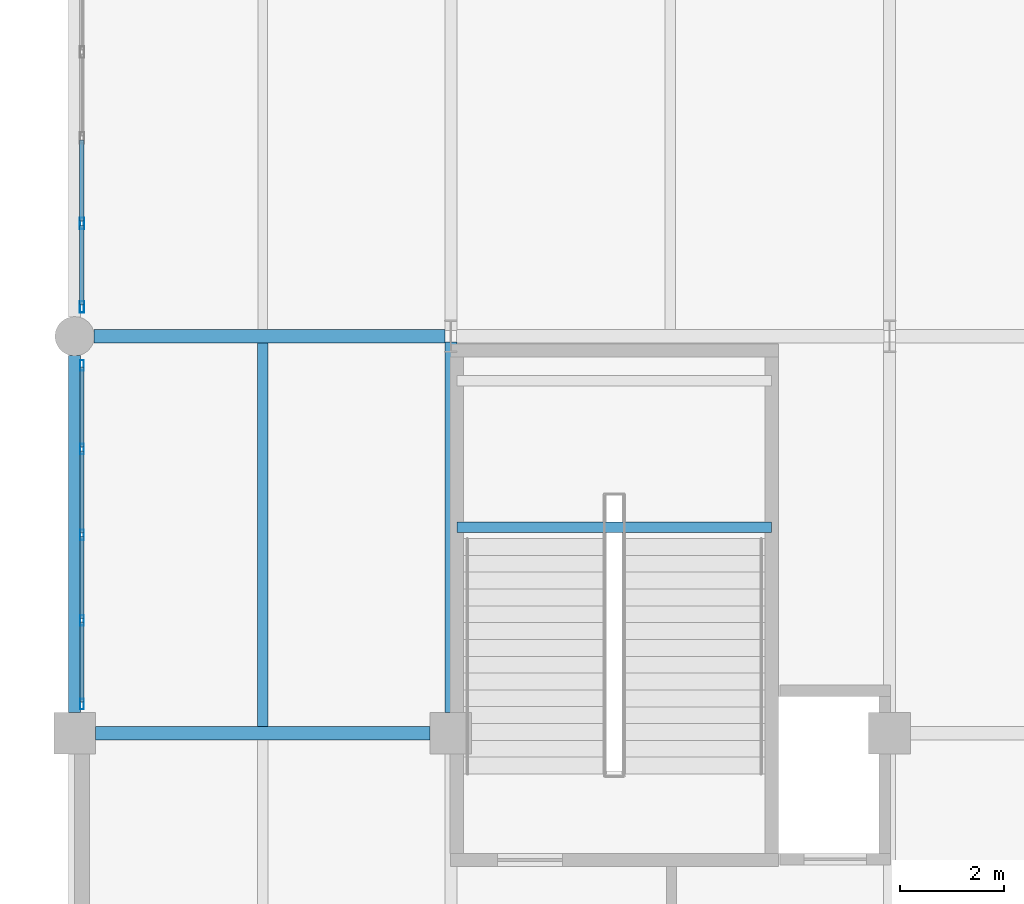
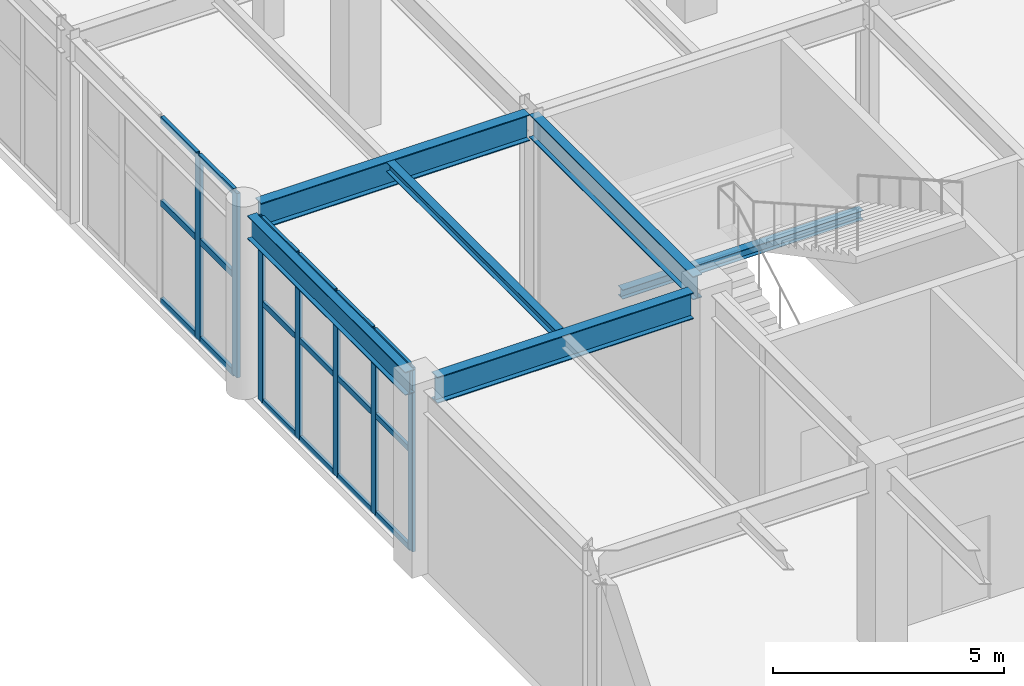
# One storey, part 49 of 128: 25 members, 6 beams, 2 elements without a shape of their own.
"""IFC4 building model written with IfcOpenShell, lengths in metres."""

import ifcopenshell
import ifcopenshell.guid

model = None  # the IFC model being written
_history = None  # IfcOwnerHistory: only IFC2X3 demands one
_inside = {}  # id of a spatial element -> (the spatial element, [elements in it])
_under = {}  # id of a project, library or spatial element -> (it, [spatial elements below it])
_declared = {}  # id of a project -> (the project, [libraries it declares])
_typed = {}  # id of a type object -> (the type object, [elements of that type])
_made_of = {}  # id of a material, layer set ... -> (it, [elements and type objects made of it])


def new_model(schema):
    """Start an empty IFC model of exactly this schema.

    Asked for "IFC4X3", IfcOpenShell would pick the latest addendum, in which some entities
    have other attributes; the version numbers below select the first issue.
    IFC2X3 requires an IfcOwnerHistory on every rooted entity: one is made here for all.
    """
    global model, _history
    if schema == "IFC4X3":
        model = ifcopenshell.file(schema_version=(4, 3, 0, 0))
    else:
        model = ifcopenshell.file(schema=schema)
    _inside.clear()
    _under.clear()
    _declared.clear()
    _typed.clear()
    _made_of.clear()
    _history = None
    if model.schema == "IFC2X3":
        org = make("IfcOrganization", Name="unknown")
        user = make(
            "IfcPersonAndOrganization",
            ThePerson=make("IfcPerson", FamilyName="unknown"),
            TheOrganization=org,
        )
        app = make(
            "IfcApplication",
            ApplicationDeveloper=org,
            Version="unknown",
            ApplicationFullName="unknown",
            ApplicationIdentifier="unknown",
        )
        _history = make(
            "IfcOwnerHistory",
            OwningUser=user,
            OwningApplication=app,
            ChangeAction="ADDED",
            CreationDate=0,
        )
    return model


def make(cls, **values):
    """One entity of the class cls with the attributes given. An attribute that is None is left unset."""
    return model.create_entity(
        cls, **{name: value for name, value in values.items() if value is not None}
    )


def rooted(cls, **values):
    """An entity with a GlobalId (a new one), such as an element, a storey or a relation."""
    return make(cls, GlobalId=ifcopenshell.guid.new(), OwnerHistory=_history, **values)


def si_unit(unit_type, name, prefix=None):
    """IfcSIUnit, for example si_unit("LENGTHUNIT", "METRE", prefix="MILLI")."""
    return make("IfcSIUnit", UnitType=unit_type, Prefix=prefix, Name=name)


def assignment(units):
    """IfcUnitAssignment: the units of a project."""
    return None if units is None else make("IfcUnitAssignment", Units=units)


def point(xyz):
    """IfcCartesianPoint."""
    return None if xyz is None else make("IfcCartesianPoint", Coordinates=xyz)


def direction(xyz):
    """IfcDirection."""
    return None if xyz is None else make("IfcDirection", DirectionRatios=xyz)


def frame(location, z_axis=None, x_axis=None):
    """IfcAxis2Placement3D, a coordinate frame: its origin and axes. An axis left out is left unset."""
    return make(
        "IfcAxis2Placement3D",
        Location=point(location),
        Axis=direction(z_axis),
        RefDirection=direction(x_axis),
    )


def frame_2d(location, x_axis=None):
    """IfcAxis2Placement2D, a coordinate frame in the plane: its origin and x axis."""
    return make(
        "IfcAxis2Placement2D", Location=point(location), RefDirection=direction(x_axis)
    )


def origin():
    """The frame at (0, 0, 0) with its axes left unset."""
    return frame((0.0, 0.0, 0.0))


def origin_2d():
    """The frame at (0, 0) in the plane with its x axis left unset."""
    return frame_2d((0.0, 0.0))


def place(relative_to, where):
    """IfcLocalPlacement: puts the frame where relative to a parent placement (None: the world)."""
    return make(
        "IfcLocalPlacement", PlacementRelTo=relative_to, RelativePlacement=where
    )


def context(
    kind, dimensions, precision=None, world=None, true_north=None, identifier=None
):
    """IfcGeometricRepresentationContext, for example the 3D "Model" context."""
    return make(
        "IfcGeometricRepresentationContext",
        ContextIdentifier=identifier,
        ContextType=kind,
        CoordinateSpaceDimension=dimensions,
        Precision=precision,
        WorldCoordinateSystem=world,
        TrueNorth=true_north,
    )


def subcontext(parent, identifier, kind, view, scale=None):
    """IfcGeometricRepresentationSubContext, for example "Body" below "Model"."""
    return make(
        "IfcGeometricRepresentationSubContext",
        ContextIdentifier=identifier,
        ContextType=kind,
        ParentContext=parent,
        TargetScale=scale,
        TargetView=view,
    )


def project(units=None, contexts=None):
    """IfcProject with its units and contexts."""
    return rooted(
        "IfcProject",
        Name="project",
        RepresentationContexts=contexts,
        UnitsInContext=assignment(units),
    )


def spatial(cls, under=None, at=None, **own):
    """A site, building, storey or space (cls), placed at a placement, below another one or the project."""
    s = rooted(cls, ObjectPlacement=at, **own)
    if under is not None:
        _under.setdefault(under.id(), (under, []))[1].append(s)
    return s


def profile(cls, at=None, kind="AREA", **sizes):
    """A parametric profile (cls). Its sizes go by their IFC names, for example OverallWidth=200.0."""
    return make(cls, ProfileType=kind, Position=at, **sizes)


def hollow_rectangle(**sizes):
    """IfcRectangleHollowProfileDef."""
    return profile("IfcRectangleHollowProfileDef", **sizes)


def i_section(**sizes):
    """IfcIShapeProfileDef."""
    return profile("IfcIShapeProfileDef", **sizes)


def extrude(swept, where, along, depth):
    """IfcExtrudedAreaSolid: the profile swept, set in the frame where, extruded along a direction by depth."""
    return make(
        "IfcExtrudedAreaSolid",
        SweptArea=swept,
        Position=where,
        ExtrudedDirection=direction(along),
        Depth=depth,
    )


def shape(context_of_items, identifier, shape_type, items):
    """IfcShapeRepresentation: the items that make up one representation, for example the "Body"."""
    return make(
        "IfcShapeRepresentation",
        ContextOfItems=context_of_items,
        RepresentationIdentifier=identifier,
        RepresentationType=shape_type,
        Items=items,
    )


def material(Name=None, Category=None):
    """IfcMaterial."""
    return make("IfcMaterial", Name=Name, Category=Category)


def layer(
    of_material, thickness, ventilated=None, Name=None, Category=None, Priority=None
):
    """IfcMaterialLayer: one layer of a wall or slab, of a material (None: an air gap)."""
    return make(
        "IfcMaterialLayer",
        Material=of_material,
        LayerThickness=thickness,
        IsVentilated=ventilated,
        Name=Name,
        Category=Category,
        Priority=Priority,
    )


def layer_set(layers, Name=None):
    """IfcMaterialLayerSet."""
    return make("IfcMaterialLayerSet", MaterialLayers=layers, LayerSetName=Name)


def material_profile(
    of_material, cross_section, Name=None, Category=None, Priority=None
):
    """IfcMaterialProfile: a cross section and its material."""
    return make(
        "IfcMaterialProfile",
        Name=Name,
        Material=of_material,
        Profile=cross_section,
        Priority=Priority,
        Category=Category,
    )


def profile_set(profiles, Name=None, composite=None):
    """IfcMaterialProfileSet."""
    return make(
        "IfcMaterialProfileSet",
        Name=Name,
        MaterialProfiles=profiles,
        CompositeProfile=composite,
    )


def made_of(thing, what):
    """Note that an element or type object is made of a material, layer set ...; save() writes the relation."""
    if what is not None:
        _made_of.setdefault(what.id(), (what, []))[1].append(thing)
    return thing


def type_object(cls, material=None, **own):
    """A type object (cls), such as IfcWallType, which elements share."""
    return made_of(rooted(cls, **own), material)


def element(
    cls,
    number,
    at=None,
    inside=None,
    cuts=None,
    type_object=None,
    material=None,
    context=None,
    identifier="Body",
    shape_type=None,
    held_by="IfcProductDefinitionShape",
    body=None,
    shapes=None,
    **own,
):
    """One element of the class cls, such as IfcWall. Its Tag is "e" and its number.

    at: its placement. inside: the storey or other place that contains it. cuts: it is an
    opening in that element (IfcRelVoidsElement). A single representation is given by context,
    identifier, shape_type and body (its items); several are given by shapes. held_by: the class
    of the entity that holds the representations. save() writes the other relations.
    """
    e = rooted(cls, Tag="e%d" % number, ObjectPlacement=at, **own)
    if body is not None:
        shapes = [shape(context, identifier, shape_type, body)]
    if shapes is not None:
        e.Representation = make(held_by, Representations=shapes)
    if inside is not None:
        _inside.setdefault(inside.id(), (inside, []))[1].append(e)
    if cuts is not None:
        rooted(
            "IfcRelVoidsElement", RelatingBuildingElement=cuts, RelatedOpeningElement=e
        )
    if type_object is not None:
        _typed.setdefault(type_object.id(), (type_object, []))[1].append(e)
    return made_of(e, material)


def aggregate(whole, parts):
    """IfcRelAggregates: a whole, such as a stair, and the parts it consists of."""
    return rooted("IfcRelAggregates", RelatingObject=whole, RelatedObjects=parts)


def save(model, path):
    """Write the relations noted so far, then the file.

    IfcRelAggregates (storeys below a building ...), IfcRelContainedInSpatialStructure (elements
    in a storey), IfcRelDefinesByType, IfcRelAssociatesMaterial and IfcRelDeclares: one each for
    every whole, place, type object, material and project.
    """
    for whole, parts in _under.values():
        aggregate(whole, parts)
    for where, things in _inside.values():
        rooted(
            "IfcRelContainedInSpatialStructure",
            RelatedElements=things,
            RelatingStructure=where,
        )
    for kind, things in _typed.values():
        rooted("IfcRelDefinesByType", RelatedObjects=things, RelatingType=kind)
    for what, things in _made_of.values():
        rooted("IfcRelAssociatesMaterial", RelatedObjects=things, RelatingMaterial=what)
    for by, libraries in _declared.values():
        rooted("IfcRelDeclares", RelatingContext=by, RelatedDefinitions=libraries)
    model.write(path)


model = new_model("IFC4")

# Units and contexts
model_context = context("Model", 3, precision=1e-05, world=origin(), true_north=direction((0.0, 1.0)))
body_context = subcontext(model_context, "Body", "Model", "MODEL_VIEW")
ifc_project = project(units=[si_unit("LENGTHUNIT", "METRE"), si_unit("AREAUNIT", "SQUARE_METRE"), si_unit("VOLUMEUNIT", "CUBIC_METRE"), si_unit("PLANEANGLEUNIT", "RADIAN"), si_unit("MASSUNIT", "GRAM", prefix="KILO")], contexts=[model_context])

# Site, building, storey
site_placement = place(None, origin())
site = spatial("IfcSite", under=ifc_project, at=site_placement, CompositionType="ELEMENT")
building_placement = place(site_placement, origin())
building = spatial("IfcBuilding", under=site, at=building_placement, Name="Xicomal Pleat Aquarium", CompositionType="ELEMENT")
storey_placement = place(building_placement, frame((0.0, 0.0, 5.39990234375)))
storey = spatial("IfcBuildingStorey", under=building, at=storey_placement, Name="L02", CompositionType="ELEMENT", Elevation=5.39990234375)

# Beams
ifc_material_1 = material(Name="Structural steel A992 Gr 50", Category="steel")
ifc_material_profile_1 = material_profile(ifc_material_1, i_section(OverallWidth=0.201904296875, OverallDepth=0.2470703125, WebThickness=0.00732421875, FlangeThickness=0.010986328125, at=origin_2d()), Name="IR 250x49")
ifc_profile_set_1 = profile_set([ifc_material_profile_1], Name="Structural steel A992 Gr 50")
beam_type_1 = type_object("IfcBeamType", Name="BM-STL-IR250", PredefinedType="JOIST", material=ifc_profile_set_1)
beam_1_placement = place(storey_placement, frame((6.60009765625, 68.531005859375, 4.751708984375), z_axis=(0.0, 1.0, 0.0), x_axis=(-1.0, 0.0, 0.0)))
element("IfcBeam", 1, at=beam_1_placement, inside=storey, type_object=beam_type_1, Name="L02 framing beam FBJ-L02-01-K-1", PredefinedType="JOIST", context=body_context, shape_type="SweptSolid", body=[
    extrude(i_section(OverallWidth=0.201904296875, OverallDepth=0.2470703125, WebThickness=0.00732421875, FlangeThickness=0.010986328125, at=origin_2d()), origin(), (0.0, 0.0, 1.0), 7.337890625),
])
beam_2_placement = place(storey_placement, frame((10.320068359375, 72.347900390625, 2.22900390625), z_axis=(1.0, 0.0, 0.0), x_axis=(0.0, 1.0, 0.0)))
element("IfcBeam", 2, at=beam_2_placement, inside=storey, type_object=beam_type_1, Name="ST-03-L02 half-landing bearer beam 2", PredefinedType="JOIST", context=body_context, shape_type="SweptSolid", body=[
    extrude(i_section(OverallWidth=0.201904296875, OverallDepth=0.2470703125, WebThickness=0.00732421875, FlangeThickness=0.010986328125, at=origin_2d()), origin(), (0.0, 0.0, 1.0), 6.02001953125),
])
ifc_material_2 = material(Name="Structural steel A992 Gr 50", Category="steel")
ifc_material_profile_2 = material_profile(ifc_material_2, i_section(OverallWidth=0.22998046875, OverallDepth=0.616943359375, WebThickness=0.01318359375, FlangeThickness=0.022216796875, at=origin_2d()), Name="IR 610x140")
ifc_profile_set_2 = profile_set([ifc_material_profile_2], Name="Structural steel A992 Gr 50")
beam_type_2 = type_object("IfcBeamType", Name="BM-STL-IR610", PredefinedType="BEAM", material=ifc_profile_set_2)
beam_3_placement = place(storey_placement, frame((3.0, 68.794921875, 4.566650390625), z_axis=(0.0, 1.0, 0.0), x_axis=(-1.0, 0.0, 0.0)))
element("IfcBeam", 3, at=beam_3_placement, inside=storey, type_object=beam_type_2, Name="L02 framing beam FGY-L02-01-K-L", PredefinedType="BEAM", context=body_context, shape_type="SweptSolid", body=[
    extrude(i_section(OverallWidth=0.22998046875, OverallDepth=0.616943359375, WebThickness=0.01318359375, FlangeThickness=0.022216796875, at=origin_2d()), origin(), (0.0, 0.0, 1.0), 6.8349609375),
])
beam_4_placement = place(storey_placement, frame((10.199951171875, 68.794921875, 4.566650390625), z_axis=(0.0, 1.0, 0.0), x_axis=(-1.0, 0.0, 0.0)))
element("IfcBeam", 4, at=beam_4_placement, inside=storey, type_object=beam_type_2, Name="L02 framing beam FGY-L02-02-K-L", PredefinedType="BEAM", context=body_context, shape_type="SweptSolid", body=[
    extrude(i_section(OverallWidth=0.22998046875, OverallDepth=0.616943359375, WebThickness=0.01318359375, FlangeThickness=0.022216796875, at=origin_2d()), origin(), (0.0, 0.0, 1.0), 7.094970703125),
])
ifc_material_3 = material(Name="Structural steel A992 Gr 50", Category="steel")
ifc_material_profile_3 = material_profile(ifc_material_3, i_section(OverallWidth=0.256103515625, OverallDepth=0.693115234375, WebThickness=0.014404296875, FlangeThickness=0.023681640625, at=origin_2d()), Name="IR 690x170")
ifc_profile_set_3 = profile_set([ifc_material_profile_3], Name="Structural steel A992 Gr 50")
beam_type_3 = type_object("IfcBeamType", Name="BM-STL-IR690", PredefinedType="BEAM", material=ifc_profile_set_3)
beam_5_placement = place(storey_placement, frame((3.39501953125, 68.39990234375, 4.528564453125), z_axis=(1.0, 0.0, 0.0), x_axis=(0.0, 1.0, 0.0)))
element("IfcBeam", 5, at=beam_5_placement, inside=storey, type_object=beam_type_3, Name="L02 framing beam FGX-L02-01-02-K", PredefinedType="BEAM", context=body_context, shape_type="SweptSolid", body=[
    extrude(i_section(OverallWidth=0.256103515625, OverallDepth=0.693115234375, WebThickness=0.014404296875, FlangeThickness=0.023681640625, at=origin_2d()), origin(), (0.0, 0.0, 1.0), 6.409912109375),
])
beam_6_placement = place(storey_placement, frame((3.3701171875, 76.0, 4.528564453125), z_axis=(1.0, 0.0, 0.0), x_axis=(0.0, 1.0, 0.0)))
element("IfcBeam", 6, at=beam_6_placement, inside=storey, type_object=beam_type_3, Name="L02 framing beam FGX-L02-01-02-L", PredefinedType="BEAM", context=body_context, shape_type="SweptSolid", body=[
    extrude(i_section(OverallWidth=0.256103515625, OverallDepth=0.693115234375, WebThickness=0.014404296875, FlangeThickness=0.023681640625, at=origin_2d()), origin(), (0.0, 0.0, 1.0), 6.719970703125),
])

# Curtain wall, members
ifc_material_4 = material(Name="Bronze anodized aluminium 6063-T6", Category="aluminium")
ifc_layer_1 = layer(ifc_material_4, 0.159912109375)
ifc_layer_set_1 = layer_set([ifc_layer_1], Name="Bronze anodized aluminium 6063-T6")
curtain_wall_type_1 = type_object("IfcCurtainWallType", Name="CW-SYS-07", PredefinedType="NOTDEFINED", material=ifc_layer_set_1)
curtain_wall_1_placement = place(storey_placement, origin())
curtain_wall_1 = element("IfcCurtainWall", 7, at=curtain_wall_1_placement, inside=storey, type_object=curtain_wall_type_1, Name="L02 unitised curtain wall CW-L02-124", PredefinedType="NOTDEFINED")
ifc_material_5 = material(Name="Bronze anodized aluminium 6063-T6", Category="aluminium")
ifc_material_profile_4 = material_profile(ifc_material_5, hollow_rectangle(XDim=0.074951171875, YDim=0.199951171875, WallThickness=0.00439453125, at=origin_2d()), Name="ALU MULL 75x200")
ifc_profile_set_4 = profile_set([ifc_material_profile_4], Name="Bronze anodized aluminium 6063-T6")
member_type_1 = type_object("IfcMemberType", Name="CWM-75x200", PredefinedType="MULLION", material=ifc_profile_set_4)
member_1_placement = place(storey_placement, frame((3.139892578125, 68.95751953125, 0.0), z_axis=(0.0, 0.0, 1.0), x_axis=(-1.0, 0.0, 0.0)))
member_1 = element("IfcMember", 8, at=member_1_placement, type_object=member_type_1, Name="CW-07 mullion 1", PredefinedType="MULLION", context=body_context, shape_type="SweptSolid", body=[
    extrude(hollow_rectangle(XDim=0.074951171875, YDim=0.199951171875, WallThickness=0.00439453125, at=origin_2d()), origin(), (0.0, 0.0, 1.0), 4.875),
])
member_2_placement = place(storey_placement, frame((3.139892578125, 70.56005859375, 0.0), z_axis=(0.0, 0.0, 1.0), x_axis=(-1.0, 0.0, 0.0)))
member_2 = element("IfcMember", 9, at=member_2_placement, type_object=member_type_1, Name="CW-07 mullion 2", PredefinedType="MULLION", context=body_context, shape_type="SweptSolid", body=[
    extrude(hollow_rectangle(XDim=0.074951171875, YDim=0.199951171875, WallThickness=0.00439453125, at=origin_2d()), origin(), (0.0, 0.0, 1.0), 4.875),
])
member_3_placement = place(storey_placement, frame((3.139892578125, 72.199951171875, 0.0), z_axis=(0.0, 0.0, 1.0), x_axis=(-1.0, 0.0, 0.0)))
member_3 = element("IfcMember", 10, at=member_3_placement, type_object=member_type_1, Name="CW-07 mullion 3", PredefinedType="MULLION", context=body_context, shape_type="SweptSolid", body=[
    extrude(hollow_rectangle(XDim=0.074951171875, YDim=0.199951171875, WallThickness=0.00439453125, at=origin_2d()), origin(), (0.0, 0.0, 1.0), 4.875),
])
member_4_placement = place(storey_placement, frame((3.139892578125, 73.840087890625, 0.0), z_axis=(0.0, 0.0, 1.0), x_axis=(-1.0, 0.0, 0.0)))
member_4 = element("IfcMember", 11, at=member_4_placement, type_object=member_type_1, Name="CW-07 mullion 4", PredefinedType="MULLION", context=body_context, shape_type="SweptSolid", body=[
    extrude(hollow_rectangle(XDim=0.074951171875, YDim=0.199951171875, WallThickness=0.00439453125, at=origin_2d()), origin(), (0.0, 0.0, 1.0), 4.875),
])
member_5_placement = place(storey_placement, frame((3.139892578125, 75.4423828125, 0.0), z_axis=(0.0, 0.0, 1.0), x_axis=(-1.0, 0.0, 0.0)))
member_5 = element("IfcMember", 12, at=member_5_placement, type_object=member_type_1, Name="CW-07 mullion 5", PredefinedType="MULLION", context=body_context, shape_type="SweptSolid", body=[
    extrude(hollow_rectangle(XDim=0.074951171875, YDim=0.199951171875, WallThickness=0.00439453125, at=origin_2d()), origin(), (0.0, 0.0, 1.0), 4.875),
])

ifc_material_6 = material(Name="Bronze anodized aluminium 6063-T6", Category="aluminium")
ifc_layer_2 = layer(ifc_material_6, 0.159912109375)
ifc_layer_set_2 = layer_set([ifc_layer_2], Name="Bronze anodized aluminium 6063-T6")
curtain_wall_type_2 = type_object("IfcCurtainWallType", Name="CW-SYS-12", PredefinedType="NOTDEFINED", material=ifc_layer_set_2)
curtain_wall_2_placement = place(storey_placement, origin())
curtain_wall_2 = element("IfcCurtainWall", 13, at=curtain_wall_2_placement, inside=storey, type_object=curtain_wall_type_2, Name="L02 unitised curtain wall CW-L02-125", PredefinedType="NOTDEFINED")
ifc_material_7 = material(Name="Bronze anodized aluminium 6063-T6", Category="aluminium")
ifc_material_profile_5 = material_profile(ifc_material_7, hollow_rectangle(XDim=0.0849609375, YDim=0.219970703125, WallThickness=0.0048828125, at=origin_2d()), Name="ALU MULL 85x220")
ifc_profile_set_5 = profile_set([ifc_material_profile_5], Name="Bronze anodized aluminium 6063-T6")
member_type_2 = type_object("IfcMemberType", Name="CWM-85x220", PredefinedType="MULLION", material=ifc_profile_set_5)
member_6_placement = place(storey_placement, frame((3.139892578125, 76.5625, 0.0), z_axis=(0.0, 0.0, 1.0), x_axis=(-1.0, 0.0, 0.0)))
member_6 = element("IfcMember", 14, at=member_6_placement, type_object=member_type_2, Name="CW-12 mullion 1", PredefinedType="MULLION", context=body_context, shape_type="SweptSolid", body=[
    extrude(hollow_rectangle(XDim=0.0849609375, YDim=0.219970703125, WallThickness=0.0048828125, at=origin_2d()), origin(), (0.0, 0.0, 1.0), 4.875),
])
member_7_placement = place(storey_placement, frame((3.139892578125, 78.159912109375, 0.0), z_axis=(0.0, 0.0, 1.0), x_axis=(-1.0, 0.0, 0.0)))
member_7 = element("IfcMember", 15, at=member_7_placement, type_object=member_type_2, Name="CW-12 mullion 2", PredefinedType="MULLION", context=body_context, shape_type="SweptSolid", body=[
    extrude(hollow_rectangle(XDim=0.0849609375, YDim=0.219970703125, WallThickness=0.0048828125, at=origin_2d()), origin(), (0.0, 0.0, 1.0), 4.875),
])

# Member
ifc_material_8 = material(Name="Bronze anodized aluminium 6063-T6", Category="aluminium")
ifc_material_profile_6 = material_profile(ifc_material_8, hollow_rectangle(XDim=0.074951171875, YDim=0.14990234375, WallThickness=0.00439453125, at=origin_2d()), Name="ALU TRAN 75x150")
ifc_profile_set_6 = profile_set([ifc_material_profile_6], Name="Bronze anodized aluminium 6063-T6")
member_type_3 = type_object("IfcMemberType", Name="CWT-75x150", PredefinedType="USERDEFINED", material=ifc_profile_set_6)
member_8_placement = place(storey_placement, frame((3.139892578125, 68.9951171875, 0.03759765625), z_axis=(0.0, 1.0, 0.0), x_axis=(-1.0, 0.0, 0.0)))
member_8 = element("IfcMember", 16, at=member_8_placement, type_object=member_type_3, Name="CW-07 transom 1.1", ObjectType="TRANSOM", PredefinedType="USERDEFINED", context=body_context, shape_type="SweptSolid", body=[
    extrude(hollow_rectangle(XDim=0.074951171875, YDim=0.14990234375, WallThickness=0.00439453125, at=origin_2d()), origin(), (0.0, 0.0, 1.0), 1.52734375),
])

member_9_placement = place(storey_placement, frame((3.139892578125, 68.9951171875, 2.633056640625), z_axis=(0.0, 1.0, 0.0), x_axis=(-1.0, 0.0, 0.0)))
member_9 = element("IfcMember", 17, at=member_9_placement, type_object=member_type_3, Name="CW-07 transom 1.2", ObjectType="TRANSOM", PredefinedType="USERDEFINED", context=body_context, shape_type="SweptSolid", body=[
    extrude(hollow_rectangle(XDim=0.074951171875, YDim=0.14990234375, WallThickness=0.00439453125, at=origin_2d()), origin(), (0.0, 0.0, 1.0), 1.52734375),
])

member_10_placement = place(storey_placement, frame((3.139892578125, 68.9951171875, 4.837646484375), z_axis=(0.0, 1.0, 0.0), x_axis=(-1.0, 0.0, 0.0)))
member_10 = element("IfcMember", 18, at=member_10_placement, type_object=member_type_3, Name="CW-07 transom 1.3", ObjectType="TRANSOM", PredefinedType="USERDEFINED", context=body_context, shape_type="SweptSolid", body=[
    extrude(hollow_rectangle(XDim=0.074951171875, YDim=0.14990234375, WallThickness=0.00439453125, at=origin_2d()), origin(), (0.0, 0.0, 1.0), 1.52734375),
])

member_11_placement = place(storey_placement, frame((3.139892578125, 70.597412109375, 0.03759765625), z_axis=(0.0, 1.0, 0.0), x_axis=(-1.0, 0.0, 0.0)))
member_11 = element("IfcMember", 19, at=member_11_placement, type_object=member_type_3, Name="CW-07 transom 2.1", ObjectType="TRANSOM", PredefinedType="USERDEFINED", context=body_context, shape_type="SweptSolid", body=[
    extrude(hollow_rectangle(XDim=0.074951171875, YDim=0.14990234375, WallThickness=0.00439453125, at=origin_2d()), origin(), (0.0, 0.0, 1.0), 1.565185546875),
])

member_12_placement = place(storey_placement, frame((3.139892578125, 70.597412109375, 2.633056640625), z_axis=(0.0, 1.0, 0.0), x_axis=(-1.0, 0.0, 0.0)))
member_12 = element("IfcMember", 20, at=member_12_placement, type_object=member_type_3, Name="CW-07 transom 2.2", ObjectType="TRANSOM", PredefinedType="USERDEFINED", context=body_context, shape_type="SweptSolid", body=[
    extrude(hollow_rectangle(XDim=0.074951171875, YDim=0.14990234375, WallThickness=0.00439453125, at=origin_2d()), origin(), (0.0, 0.0, 1.0), 1.565185546875),
])

member_13_placement = place(storey_placement, frame((3.139892578125, 70.597412109375, 4.837646484375), z_axis=(0.0, 1.0, 0.0), x_axis=(-1.0, 0.0, 0.0)))
member_13 = element("IfcMember", 21, at=member_13_placement, type_object=member_type_3, Name="CW-07 transom 2.3", ObjectType="TRANSOM", PredefinedType="USERDEFINED", context=body_context, shape_type="SweptSolid", body=[
    extrude(hollow_rectangle(XDim=0.074951171875, YDim=0.14990234375, WallThickness=0.00439453125, at=origin_2d()), origin(), (0.0, 0.0, 1.0), 1.565185546875),
])

member_14_placement = place(storey_placement, frame((3.139892578125, 72.237548828125, 0.03759765625), z_axis=(0.0, 1.0, 0.0), x_axis=(-1.0, 0.0, 0.0)))
member_14 = element("IfcMember", 22, at=member_14_placement, type_object=member_type_3, Name="CW-07 transom 3.1", ObjectType="TRANSOM", PredefinedType="USERDEFINED", context=body_context, shape_type="SweptSolid", body=[
    extrude(hollow_rectangle(XDim=0.074951171875, YDim=0.14990234375, WallThickness=0.00439453125, at=origin_2d()), origin(), (0.0, 0.0, 1.0), 1.56494140625),
])

member_15_placement = place(storey_placement, frame((3.139892578125, 72.237548828125, 2.633056640625), z_axis=(0.0, 1.0, 0.0), x_axis=(-1.0, 0.0, 0.0)))
member_15 = element("IfcMember", 23, at=member_15_placement, type_object=member_type_3, Name="CW-07 transom 3.2", ObjectType="TRANSOM", PredefinedType="USERDEFINED", context=body_context, shape_type="SweptSolid", body=[
    extrude(hollow_rectangle(XDim=0.074951171875, YDim=0.14990234375, WallThickness=0.00439453125, at=origin_2d()), origin(), (0.0, 0.0, 1.0), 1.56494140625),
])

member_16_placement = place(storey_placement, frame((3.139892578125, 72.237548828125, 4.837646484375), z_axis=(0.0, 1.0, 0.0), x_axis=(-1.0, 0.0, 0.0)))
member_16 = element("IfcMember", 24, at=member_16_placement, type_object=member_type_3, Name="CW-07 transom 3.3", ObjectType="TRANSOM", PredefinedType="USERDEFINED", context=body_context, shape_type="SweptSolid", body=[
    extrude(hollow_rectangle(XDim=0.074951171875, YDim=0.14990234375, WallThickness=0.00439453125, at=origin_2d()), origin(), (0.0, 0.0, 1.0), 1.56494140625),
])

member_17_placement = place(storey_placement, frame((3.139892578125, 73.87744140625, 0.03759765625), z_axis=(0.0, 1.0, 0.0), x_axis=(-1.0, 0.0, 0.0)))
member_17 = element("IfcMember", 25, at=member_17_placement, type_object=member_type_3, Name="CW-07 transom 4.1", ObjectType="TRANSOM", PredefinedType="USERDEFINED", context=body_context, shape_type="SweptSolid", body=[
    extrude(hollow_rectangle(XDim=0.074951171875, YDim=0.14990234375, WallThickness=0.00439453125, at=origin_2d()), origin(), (0.0, 0.0, 1.0), 1.527587890625),
])

member_18_placement = place(storey_placement, frame((3.139892578125, 73.87744140625, 2.633056640625), z_axis=(0.0, 1.0, 0.0), x_axis=(-1.0, 0.0, 0.0)))
member_18 = element("IfcMember", 26, at=member_18_placement, type_object=member_type_3, Name="CW-07 transom 4.2", ObjectType="TRANSOM", PredefinedType="USERDEFINED", context=body_context, shape_type="SweptSolid", body=[
    extrude(hollow_rectangle(XDim=0.074951171875, YDim=0.14990234375, WallThickness=0.00439453125, at=origin_2d()), origin(), (0.0, 0.0, 1.0), 1.527587890625),
])

member_19_placement = place(storey_placement, frame((3.139892578125, 73.87744140625, 4.837646484375), z_axis=(0.0, 1.0, 0.0), x_axis=(-1.0, 0.0, 0.0)))
member_19 = element("IfcMember", 27, at=member_19_placement, type_object=member_type_3, Name="CW-07 transom 4.3", ObjectType="TRANSOM", PredefinedType="USERDEFINED", context=body_context, shape_type="SweptSolid", body=[
    extrude(hollow_rectangle(XDim=0.074951171875, YDim=0.14990234375, WallThickness=0.00439453125, at=origin_2d()), origin(), (0.0, 0.0, 1.0), 1.527587890625),
])

aggregate(curtain_wall_1, [member_1, member_2, member_3, member_4, member_5, member_8, member_9, member_10, member_11, member_12, member_13, member_14, member_15, member_16, member_17, member_18, member_19])

ifc_material_9 = material(Name="Bronze anodized aluminium 6063-T6", Category="aluminium")
ifc_material_profile_7 = material_profile(ifc_material_9, hollow_rectangle(XDim=0.0849609375, YDim=0.169921875, WallThickness=0.0048828125, at=origin_2d()), Name="ALU TRAN 85x170")
ifc_profile_set_7 = profile_set([ifc_material_profile_7], Name="Bronze anodized aluminium 6063-T6")
member_type_4 = type_object("IfcMemberType", Name="CWT-85x170", PredefinedType="USERDEFINED", material=ifc_profile_set_7)
member_20_placement = place(storey_placement, frame((3.139892578125, 76.60498046875, 0.04248046875), z_axis=(0.0, 1.0, 0.0), x_axis=(-1.0, 0.0, 0.0)))
member_20 = element("IfcMember", 28, at=member_20_placement, type_object=member_type_4, Name="CW-12 transom 1.1", ObjectType="TRANSOM", PredefinedType="USERDEFINED", context=body_context, shape_type="SweptSolid", body=[
    extrude(hollow_rectangle(XDim=0.0849609375, YDim=0.169921875, WallThickness=0.0048828125, at=origin_2d()), origin(), (0.0, 0.0, 1.0), 1.512451171875),
])

member_21_placement = place(storey_placement, frame((3.139892578125, 76.60498046875, 2.633056640625), z_axis=(0.0, 1.0, 0.0), x_axis=(-1.0, 0.0, 0.0)))
member_21 = element("IfcMember", 29, at=member_21_placement, type_object=member_type_4, Name="CW-12 transom 1.2", ObjectType="TRANSOM", PredefinedType="USERDEFINED", context=body_context, shape_type="SweptSolid", body=[
    extrude(hollow_rectangle(XDim=0.0849609375, YDim=0.169921875, WallThickness=0.0048828125, at=origin_2d()), origin(), (0.0, 0.0, 1.0), 1.512451171875),
])

member_22_placement = place(storey_placement, frame((3.139892578125, 76.60498046875, 4.83251953125), z_axis=(0.0, 1.0, 0.0), x_axis=(-1.0, 0.0, 0.0)))
member_22 = element("IfcMember", 30, at=member_22_placement, type_object=member_type_4, Name="CW-12 transom 1.3", ObjectType="TRANSOM", PredefinedType="USERDEFINED", context=body_context, shape_type="SweptSolid", body=[
    extrude(hollow_rectangle(XDim=0.0849609375, YDim=0.169921875, WallThickness=0.0048828125, at=origin_2d()), origin(), (0.0, 0.0, 1.0), 1.512451171875),
])

member_23_placement = place(storey_placement, frame((3.139892578125, 78.202392578125, 0.04248046875), z_axis=(0.0, 1.0, 0.0), x_axis=(-1.0, 0.0, 0.0)))
member_23 = element("IfcMember", 31, at=member_23_placement, type_object=member_type_4, Name="CW-12 transom 2.1", ObjectType="TRANSOM", PredefinedType="USERDEFINED", context=body_context, shape_type="SweptSolid", body=[
    extrude(hollow_rectangle(XDim=0.0849609375, YDim=0.169921875, WallThickness=0.0048828125, at=origin_2d()), origin(), (0.0, 0.0, 1.0), 1.55517578125),
])

member_24_placement = place(storey_placement, frame((3.139892578125, 78.202392578125, 2.633056640625), z_axis=(0.0, 1.0, 0.0), x_axis=(-1.0, 0.0, 0.0)))
member_24 = element("IfcMember", 32, at=member_24_placement, type_object=member_type_4, Name="CW-12 transom 2.2", ObjectType="TRANSOM", PredefinedType="USERDEFINED", context=body_context, shape_type="SweptSolid", body=[
    extrude(hollow_rectangle(XDim=0.0849609375, YDim=0.169921875, WallThickness=0.0048828125, at=origin_2d()), origin(), (0.0, 0.0, 1.0), 1.55517578125),
])

member_25_placement = place(storey_placement, frame((3.139892578125, 78.202392578125, 4.83251953125), z_axis=(0.0, 1.0, 0.0), x_axis=(-1.0, 0.0, 0.0)))
member_25 = element("IfcMember", 33, at=member_25_placement, type_object=member_type_4, Name="CW-12 transom 2.3", ObjectType="TRANSOM", PredefinedType="USERDEFINED", context=body_context, shape_type="SweptSolid", body=[
    extrude(hollow_rectangle(XDim=0.0849609375, YDim=0.169921875, WallThickness=0.0048828125, at=origin_2d()), origin(), (0.0, 0.0, 1.0), 1.55517578125),
])

aggregate(curtain_wall_2, [member_6, member_7, member_20, member_21, member_22, member_23, member_24, member_25])

save(model, "model.ifc")
